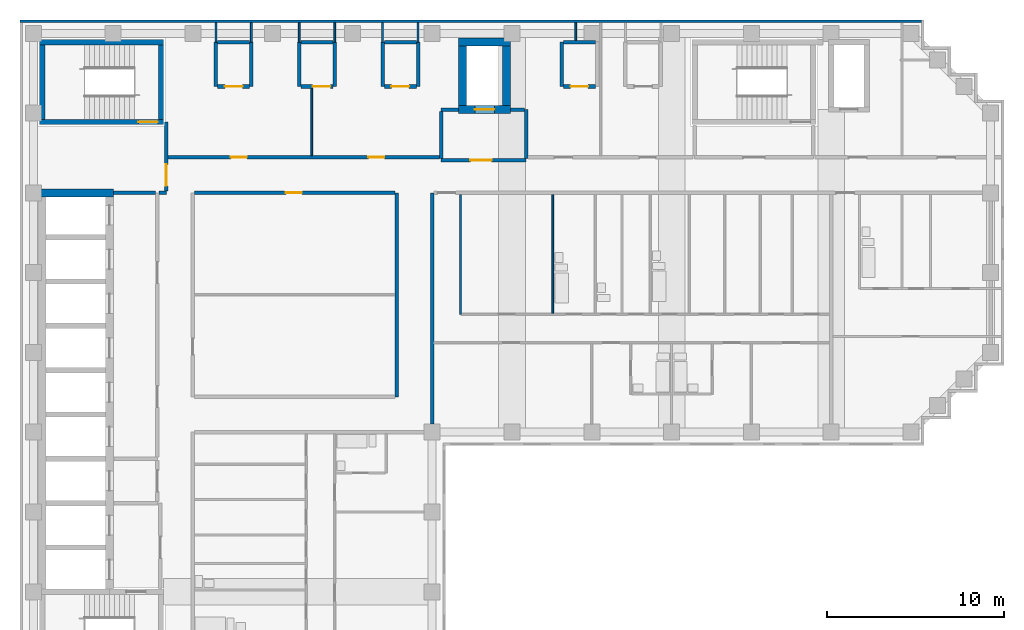
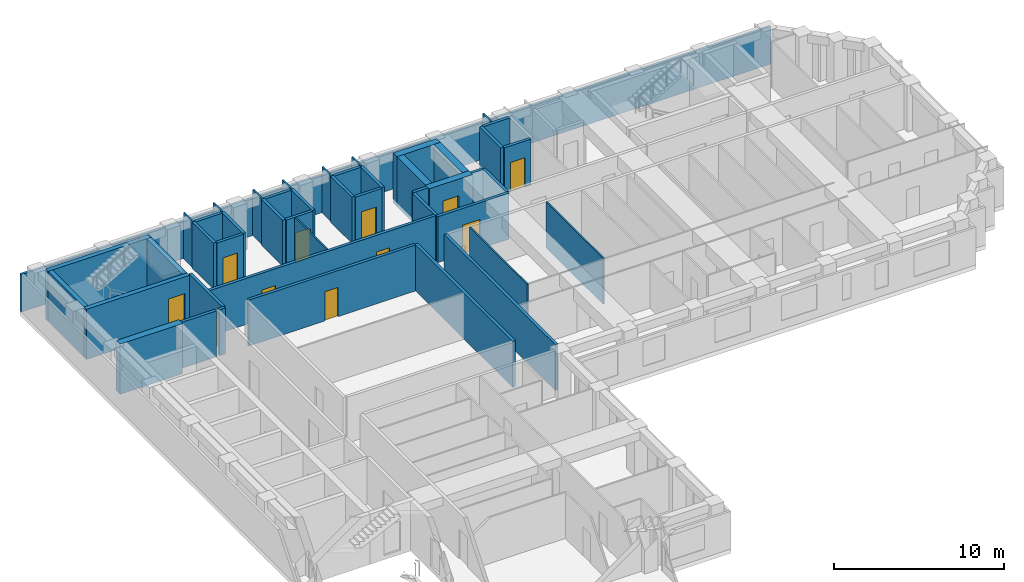
# One storey, part 5 of 10: 47 walls, 11 doors, 11 openings.
"""IFC4 building model written with IfcOpenShell, lengths in metres."""

from ifc_helpers import new_model, si_unit, direction, frame, frame_2d, origin, place, context, subcontext, project, spatial, rectangle, extrude, material, layer, layer_set, type_object, element, fill, save


model = new_model("IFC4")

# Units and contexts
model_context = context("Model", 3, precision=1e-05, world=origin(), true_north=direction((0.0, 1.0)))
body_context = subcontext(model_context, "Body", "Model", "MODEL_VIEW")
ifc_project = project(units=[si_unit("LENGTHUNIT", "METRE"), si_unit("AREAUNIT", "SQUARE_METRE"), si_unit("VOLUMEUNIT", "CUBIC_METRE"), si_unit("PLANEANGLEUNIT", "RADIAN"), si_unit("MASSUNIT", "GRAM", prefix="KILO")], contexts=[model_context])

# Site, building, storey
site_placement = place(None, origin())
site = spatial("IfcSite", under=ifc_project, at=site_placement, CompositionType="ELEMENT")
building_placement = place(site_placement, origin())
building = spatial("IfcBuilding", under=site, at=building_placement, Name="Firuza Court", CompositionType="ELEMENT")
storey_placement = place(building_placement, frame((0.0, 0.0, 197.0)))
storey = spatial("IfcBuildingStorey", under=building, at=storey_placement, Name="L50", CompositionType="ELEMENT", Elevation=197.0)

# Wall
ifc_material_1 = material(Name="Moisture-resistant gypsum board partition")
ifc_layer_1 = layer(ifc_material_1, 0.10009765625)
ifc_layer_set_1 = layer_set([ifc_layer_1], Name="Moisture-resistant gypsum board partition")
wall_type_1 = type_object("IfcWallType", Name="Bathroom partition 100", PredefinedType="PLUMBINGWALL", material=ifc_layer_set_1)
wall_1_placement = place(storey_placement, frame((29.300048828125, 42.699951171875, 0.0), z_axis=(0.0, 0.0, 1.0), x_axis=(0.0, 1.0, 0.0)))
element("IfcWall", 1, at=wall_1_placement, inside=storey, type_object=wall_type_1, Name="Bathroom partition 100 L50", PredefinedType="PLUMBINGWALL", context=body_context, shape_type="SweptSolid", body=[
    extrude(rectangle(XDim=6.699951171875, YDim=0.10009765625, at=frame_2d((3.35009765625, 0.0))), origin(), (0.0, 0.0, 1.0), 3.300048828125),
])

# Wall, opening, door
ifc_material_2 = material(Name="Concrete C50/60", Category="concrete")
ifc_layer_2 = layer(ifc_material_2, 0.300048828125)
ifc_layer_set_2 = layer_set([ifc_layer_2], Name="Concrete C50/60")
wall_type_2 = type_object("IfcWallType", Name="Core wall 300 C50/60", PredefinedType="SHEAR", material=ifc_layer_set_2)
wall_2_placement = place(storey_placement, frame((0.35009765625, 53.5, -0.300048828125), z_axis=(0.0, 0.0, 1.0), x_axis=(1.0, 0.0, 0.0)))
wall_2 = element("IfcWall", 2, at=wall_2_placement, inside=storey, type_object=wall_type_2, Name="Core wall stair L50", PredefinedType="SHEAR", context=body_context, shape_type="SweptSolid", body=[
    extrude(rectangle(XDim=7.0, YDim=0.300048828125, at=frame_2d((3.5, 0.0))), origin(), (0.0, 0.0, 1.0), 3.60009765625),
])
opening_1_placement = place(wall_2_placement, frame((5.580078125, 0.0, 0.300048828125)))
opening_1 = element("IfcOpeningElement", 3, at=opening_1_placement, cuts=wall_2, Name="Opening D50014", PredefinedType="OPENING", context=body_context, shape_type="SweptSolid", body=[
    extrude(rectangle(XDim=1.10009765625, YDim=2.10009765625, at=frame_2d((0.550048828125, 1.050048828125))), frame((0.0, 0.162109375, 0.0), z_axis=(0.0, -1.0, 0.0), x_axis=(1.0, 0.0, 0.0)), (0.0, 0.0, 1.0), 0.323974609375),
])
ifc_material_3 = material(Name="Timber door leaf in hardwood frame", Category="wood")
door_type_1 = type_object("IfcDoorType", Name="Stair door 1100", OperationType="SINGLE_SWING_LEFT", PredefinedType="DOOR", material=ifc_material_3)
door_1_placement = place(opening_1_placement, origin())
door_1 = element("IfcDoor", 4, at=door_1_placement, inside=storey, type_object=door_type_1, Name="Stair door S3", OperationType="SINGLE_SWING_RIGHT", OverallHeight=2.10009765625, OverallWidth=1.10009765625, PredefinedType="DOOR", context=body_context, shape_type="SweptSolid", body=[
    extrude(rectangle(XDim=1.10009765625, YDim=2.10009765625, at=frame_2d((0.550048828125, 1.050048828125))), frame((0.0, 0.02490234375, 0.0), z_axis=(0.0, -1.0, 0.0), x_axis=(1.0, 0.0, 0.0)), (0.0, 0.0, 1.0), 0.050048828125),
])
fill(opening_1, door_1)

# Walls
wall_3_placement = place(storey_placement, frame((0.35009765625, 58.0, -0.300048828125), z_axis=(0.0, 0.0, 1.0), x_axis=(1.0, 0.0, 0.0)))
element("IfcWall", 5, at=wall_3_placement, inside=storey, type_object=wall_type_2, Name="Core wall stair L50", PredefinedType="SHEAR", context=body_context, shape_type="SweptSolid", body=[
    extrude(rectangle(XDim=7.0, YDim=0.300048828125, at=frame_2d((3.5, 0.0))), origin(), (0.0, 0.0, 1.0), 3.60009765625),
])
for number, where, z_axis, x_axis, name in (
    (6, (0.5, 53.64990234375, -0.300048828125), (0.0, 0.0, 1.0), (0.0, 1.0, 0.0), "Core wall stair L50"),
    (7, (7.199951171875, 53.64990234375, -0.300048828125), (0.0, 0.0, 1.0), (0.0, 1.0, 0.0), "Core wall stair L50"),
):
    element("IfcWall", number, at=place(storey_placement, frame(where, z_axis=z_axis, x_axis=x_axis)), inside=storey, type_object=wall_type_2, Name=name, PredefinedType="SHEAR", context=body_context, shape_type="SweptSolid", body=[
        extrude(rectangle(XDim=4.2001953125, YDim=0.300048828125, at=frame_2d((2.10009765625, 0.0))), origin(), (0.0, 0.0, 1.0), 3.60009765625),
    ])
ifc_layer_3 = layer(ifc_material_2, 0.449951171875)
ifc_layer_set_3 = layer_set([ifc_layer_3], Name="Concrete C50/60")
wall_type_3 = type_object("IfcWallType", Name="Core wall 450 C50/60", PredefinedType="SHEAR", material=ifc_layer_set_3)
wall_4_placement = place(storey_placement, frame((0.27490234375, 49.5, -0.300048828125), z_axis=(0.0, 0.0, 1.0), x_axis=(1.0, 0.0, 0.0)))
element("IfcWall", 8, at=wall_4_placement, inside=storey, type_object=wall_type_3, Name="Core wall lift shaft L50", PredefinedType="SHEAR", context=body_context, shape_type="SweptSolid", body=[
    extrude(rectangle(XDim=4.25, YDim=0.449951171875, at=frame_2d((2.125, 0.0))), origin(), (0.0, 0.0, 1.0), 3.60009765625),
])

# Wall, opening, door
wall_5_placement = place(storey_placement, frame((23.97509765625, 54.199951171875, -0.300048828125), z_axis=(0.0, 0.0, 1.0), x_axis=(1.0, 0.0, 0.0)))
wall_5 = element("IfcWall", 9, at=wall_5_placement, inside=storey, type_object=wall_type_3, Name="Core wall lift shaft L50", PredefinedType="SHEAR", context=body_context, shape_type="SweptSolid", body=[
    extrude(rectangle(XDim=2.949951171875, YDim=0.449951171875, at=frame_2d((1.47509765625, 0.0))), origin(), (0.0, 0.0, 1.0), 3.60009765625),
])
opening_2_placement = place(wall_5_placement, frame((0.925048828125, 0.0, 0.300048828125)))
opening_2 = element("IfcOpeningElement", 10, at=opening_2_placement, cuts=wall_5, Name="Opening LD-FL3-50", PredefinedType="OPENING", context=body_context, shape_type="SweptSolid", body=[
    extrude(rectangle(XDim=1.10009765625, YDim=2.10009765625, at=frame_2d((0.550048828125, 1.050048828125))), frame((0.0, 0.23681640625, 0.0), z_axis=(0.0, -1.0, 0.0), x_axis=(1.0, 0.0, 0.0)), (0.0, 0.0, 1.0), 0.473876953125),
])
ifc_material_4 = material(Name="Stainless steel 1.4301 door leaf", Category="steel")
door_type_2 = type_object("IfcDoorType", Name="Lift landing door 1100", OperationType="SLIDING_TO_LEFT", PredefinedType="DOOR", material=ifc_material_4)
door_2_placement = place(opening_2_placement, origin())
door_2 = element("IfcDoor", 11, at=door_2_placement, inside=storey, type_object=door_type_2, Name="Landing door FL3", OperationType="SLIDING_TO_LEFT", OverallHeight=2.10009765625, OverallWidth=1.10009765625, PredefinedType="DOOR", context=body_context, shape_type="SweptSolid", body=[
    extrude(rectangle(XDim=1.10009765625, YDim=2.10009765625, at=frame_2d((0.550048828125, 1.050048828125))), frame((0.0, 0.02490234375, 0.0), z_axis=(0.0, -1.0, 0.0), x_axis=(1.0, 0.0, 0.0)), (0.0, 0.0, 1.0), 0.050048828125),
])
fill(opening_2, door_2)

# Walls
wall_6_placement = place(storey_placement, frame((23.97509765625, 58.0, -0.300048828125), z_axis=(0.0, 0.0, 1.0), x_axis=(1.0, 0.0, 0.0)))
element("IfcWall", 12, at=wall_6_placement, inside=storey, type_object=wall_type_3, Name="Core wall lift shaft L50", PredefinedType="SHEAR", context=body_context, shape_type="SweptSolid", body=[
    extrude(rectangle(XDim=2.949951171875, YDim=0.449951171875, at=frame_2d((1.47509765625, 0.0))), origin(), (0.0, 0.0, 1.0), 3.60009765625),
])
for number, where, z_axis, x_axis, name in (
    (13, (24.199951171875, 54.425048828125, -0.300048828125), (0.0, 0.0, 1.0), (0.0, 1.0, 0.0), "Core wall lift shaft L50"),
    (14, (26.699951171875, 54.425048828125, -0.300048828125), (0.0, 0.0, 1.0), (0.0, 1.0, 0.0), "Core wall lift shaft L50"),
):
    element("IfcWall", number, at=place(storey_placement, frame(where, z_axis=z_axis, x_axis=x_axis)), inside=storey, type_object=wall_type_3, Name=name, PredefinedType="SHEAR", context=body_context, shape_type="SweptSolid", body=[
        extrude(rectangle(XDim=3.349853515625, YDim=0.449951171875, at=frame_2d((1.6748046875, 0.0))), origin(), (0.0, 0.0, 1.0), 3.60009765625),
    ])
ifc_material_5 = material(Name="Blockwork, plastered both sides", Category="masonry")
ifc_layer_4 = layer(ifc_material_5, 0.199951171875)
ifc_layer_set_4 = layer_set([ifc_layer_4], Name="Blockwork, plastered both sides")
wall_type_4 = type_object("IfcWallType", Name="Corridor wall 200", PredefinedType="PARTITIONING", material=ifc_layer_set_4)
wall_7_placement = place(storey_placement, frame((20.5, 38.0, 0.0), z_axis=(0.0, 0.0, 1.0), x_axis=(0.0, 1.0, 0.0)))
element("IfcWall", 15, at=wall_7_placement, inside=storey, type_object=wall_type_4, Name="Corridor wall 200 L50", PredefinedType="PARTITIONING", context=body_context, shape_type="SweptSolid", body=[
    extrude(rectangle(XDim=11.5, YDim=0.199951171875, at=frame_2d((5.75, 0.0))), origin(), (0.0, 0.0, 1.0), 3.300048828125),
])

# Wall, opening, door
wall_8_placement = place(storey_placement, frame((9.10009765625, 49.5, 0.0), z_axis=(0.0, 0.0, 1.0), x_axis=(1.0, 0.0, 0.0)))
wall_8 = element("IfcWall", 16, at=wall_8_placement, inside=storey, type_object=wall_type_4, Name="Corridor wall 200 L50", PredefinedType="PARTITIONING", context=body_context, shape_type="SweptSolid", body=[
    extrude(rectangle(XDim=11.2998046875, YDim=0.199951171875, at=frame_2d((5.64990234375, 0.0))), origin(), (0.0, 0.0, 1.0), 3.300048828125),
])
opening_3_placement = place(wall_8_placement, frame((5.14990234375, 0.0, 0.0)))
opening_3 = element("IfcOpeningElement", 17, at=opening_3_placement, cuts=wall_8, Name="Opening D50056", PredefinedType="OPENING", context=body_context, shape_type="SweptSolid", body=[
    extrude(rectangle(XDim=0.89990234375, YDim=2.10009765625, at=frame_2d((0.449951171875, 1.050048828125))), frame((0.0, 0.11181640625, 0.0), z_axis=(0.0, -1.0, 0.0), x_axis=(1.0, 0.0, 0.0)), (0.0, 0.0, 1.0), 0.223876953125),
])
ifc_material_6 = material(Name="Timber door leaf in hardwood frame", Category="wood")
door_type_3 = type_object("IfcDoorType", Name="Room door 900 EI 30", OperationType="SINGLE_SWING_LEFT", PredefinedType="DOOR", material=ifc_material_6)
door_3_placement = place(opening_3_placement, origin())
door_3 = element("IfcDoor", 18, at=door_3_placement, inside=storey, type_object=door_type_3, Name="Residents' club lounge door", OperationType="SINGLE_SWING_LEFT", OverallHeight=2.10009765625, OverallWidth=0.89990234375, PredefinedType="DOOR", context=body_context, shape_type="SweptSolid", body=[
    extrude(rectangle(XDim=0.89990234375, YDim=2.10009765625, at=frame_2d((0.449951171875, 1.050048828125))), frame((0.0, 0.02490234375, 0.0), z_axis=(0.0, -1.0, 0.0), x_axis=(1.0, 0.0, 0.0)), (0.0, 0.0, 1.0), 0.050048828125),
])
fill(opening_3, door_3)

# Wall, openings, doors
wall_9_placement = place(storey_placement, frame((7.60009765625, 51.5, 0.0), z_axis=(0.0, 0.0, 1.0), x_axis=(1.0, 0.0, 0.0)))
wall_9 = element("IfcWall", 19, at=wall_9_placement, inside=storey, type_object=wall_type_4, Name="Corridor wall 200 L50", PredefinedType="PARTITIONING", context=body_context, shape_type="SweptSolid", body=[
    extrude(rectangle(XDim=15.2998046875, YDim=0.199951171875, at=frame_2d((7.64990234375, 0.0))), origin(), (0.0, 0.0, 1.0), 3.300048828125),
])
opening_4_placement = place(wall_9_placement, frame((3.550048828125, 0.0, 0.0)))
opening_4 = element("IfcOpeningElement", 20, at=opening_4_placement, cuts=wall_9, Name="Opening D50059", PredefinedType="OPENING", context=body_context, shape_type="SweptSolid", body=[
    extrude(rectangle(XDim=0.89990234375, YDim=2.10009765625, at=frame_2d((0.449951171875, 1.050048828125))), frame((0.0, 0.11181640625, 0.0), z_axis=(0.0, -1.0, 0.0), x_axis=(1.0, 0.0, 0.0)), (0.0, 0.0, 1.0), 0.223876953125),
])
opening_5_placement = place(wall_9_placement, frame((11.300048828125, 0.0, 0.0)))
opening_5 = element("IfcOpeningElement", 21, at=opening_5_placement, cuts=wall_9, Name="Opening D50060", PredefinedType="OPENING", context=body_context, shape_type="SweptSolid", body=[
    extrude(rectangle(XDim=0.89990234375, YDim=2.10009765625, at=frame_2d((0.449951171875, 1.050048828125))), frame((0.0, 0.11181640625, 0.0), z_axis=(0.0, -1.0, 0.0), x_axis=(1.0, 0.0, 0.0)), (0.0, 0.0, 1.0), 0.223876953125),
])
door_4_placement = place(opening_4_placement, origin())
door_4 = element("IfcDoor", 22, at=door_4_placement, inside=storey, type_object=door_type_3, Name="Meeting room door", OperationType="SINGLE_SWING_LEFT", OverallHeight=2.10009765625, OverallWidth=0.89990234375, PredefinedType="DOOR", context=body_context, shape_type="SweptSolid", body=[
    extrude(rectangle(XDim=0.89990234375, YDim=2.10009765625, at=frame_2d((0.449951171875, 1.050048828125))), frame((0.0, 0.02490234375, 0.0), z_axis=(0.0, -1.0, 0.0), x_axis=(1.0, 0.0, 0.0)), (0.0, 0.0, 1.0), 0.050048828125),
])
fill(opening_4, door_4)
door_5_placement = place(opening_5_placement, origin())
door_5 = element("IfcDoor", 23, at=door_5_placement, inside=storey, type_object=door_type_3, Name="Meeting room door", OperationType="SINGLE_SWING_LEFT", OverallHeight=2.10009765625, OverallWidth=0.89990234375, PredefinedType="DOOR", context=body_context, shape_type="SweptSolid", body=[
    extrude(rectangle(XDim=0.89990234375, YDim=2.10009765625, at=frame_2d((0.449951171875, 1.050048828125))), frame((0.0, 0.02490234375, 0.0), z_axis=(0.0, -1.0, 0.0), x_axis=(1.0, 0.0, 0.0)), (0.0, 0.0, 1.0), 0.050048828125),
])
fill(opening_5, door_5)

# Walls
ifc_material_7 = material(Name="Timber stud partition, plasterboard both sides", Category="wood")
ifc_layer_5 = layer(ifc_material_7, 0.10009765625)
ifc_layer_set_5 = layer_set([ifc_layer_5], Name="Timber stud partition, plasterboard both sides")
wall_type_5 = type_object("IfcWallType", Name="Partition wall 100", PredefinedType="PARTITIONING", material=ifc_layer_set_5)
wall_10_placement = place(storey_placement, frame((24.10009765625, 42.64990234375, 0.0), z_axis=(0.0, 0.0, 1.0), x_axis=(0.0, 1.0, 0.0)))
element("IfcWall", 24, at=wall_10_placement, inside=storey, type_object=wall_type_5, Name="Partition wall 100 L50", PredefinedType="PARTITIONING", context=body_context, shape_type="SweptSolid", body=[
    extrude(rectangle(XDim=6.75, YDim=0.10009765625, at=frame_2d((3.375, 0.0))), origin(), (0.0, 0.0, 1.0), 3.300048828125),
])
wall_11_placement = place(storey_placement, frame((15.699951171875, 51.60009765625, 0.0), z_axis=(0.0, 0.0, 1.0), x_axis=(0.0, 1.0, 0.0)))
element("IfcWall", 25, at=wall_11_placement, inside=storey, type_object=wall_type_5, Name="Partition wall 100 L50", PredefinedType="PARTITIONING", context=body_context, shape_type="SweptSolid", body=[
    extrude(rectangle(XDim=3.7998046875, YDim=0.10009765625, at=frame_2d((1.89990234375, 0.0))), origin(), (0.0, 0.0, 1.0), 3.300048828125),
])
for number, where, z_axis, x_axis, name in (
    (26, (10.300048828125, 58.0, 0.0), (0.0, 0.0, 1.0), (0.0, 1.0, 0.0), "Partition wall 100 L50"),
    (27, (12.300048828125, 58.0, 0.0), (0.0, 0.0, 1.0), (0.0, 1.0, 0.0), "Partition wall 100 L50"),
    (28, (15.0, 58.0, 0.0), (0.0, 0.0, 1.0), (0.0, 1.0, 0.0), "Partition wall 100 L50"),
    (29, (17.0, 58.0, 0.0), (0.0, 0.0, 1.0), (0.0, 1.0, 0.0), "Partition wall 100 L50"),
    (30, (19.699951171875, 58.0, 0.0), (0.0, 0.0, 1.0), (0.0, 1.0, 0.0), "Partition wall 100 L50"),
    (31, (21.699951171875, 58.0, 0.0), (0.0, 0.0, 1.0), (0.0, 1.0, 0.0), "Partition wall 100 L50"),
):
    element("IfcWall", number, at=place(storey_placement, frame(where, z_axis=z_axis, x_axis=x_axis)), inside=storey, type_object=wall_type_5, Name=name, PredefinedType="PARTITIONING", context=body_context, shape_type="SweptSolid", body=[
        extrude(rectangle(XDim=1.10009765625, YDim=0.10009765625, at=frame_2d((0.550048828125, 0.0))), origin(), (0.0, 0.0, 1.0), 3.300048828125),
    ])
wall_12_placement = place(storey_placement, frame((30.60009765625, 58.10009765625, 0.0), z_axis=(0.0, 0.0, 1.0), x_axis=(0.0, 1.0, 0.0)))
element("IfcWall", 32, at=wall_12_placement, inside=storey, type_object=wall_type_5, Name="Partition wall 100 L50", PredefinedType="PARTITIONING", context=body_context, shape_type="SweptSolid", body=[
    extrude(rectangle(XDim=1.0, YDim=0.10009765625, at=frame_2d((0.5, 0.0))), origin(), (0.0, 0.0, 1.0), 3.300048828125),
])
ifc_layer_6 = layer(ifc_material_5, 0.199951171875)
ifc_layer_set_6 = layer_set([ifc_layer_6], Name="Blockwork, plastered both sides")
wall_type_6 = type_object("IfcWallType", Name="Party wall 200", PredefinedType="PARTITIONING", material=ifc_layer_set_6)
wall_13_placement = place(storey_placement, frame((22.5, 36.449951171875, 0.0), z_axis=(0.0, 0.0, 1.0), x_axis=(0.0, 1.0, 0.0)))
element("IfcWall", 33, at=wall_13_placement, inside=storey, type_object=wall_type_6, Name="Party wall 200 L50", PredefinedType="PARTITIONING", context=body_context, shape_type="SweptSolid", body=[
    extrude(rectangle(XDim=13.050048828125, YDim=0.199951171875, at=frame_2d((6.52490234375, 0.0))), origin(), (0.0, 0.0, 1.0), 3.300048828125),
])
ifc_material_8 = material(Name="Blockwork, fire-rated", Category="masonry")
ifc_layer_7 = layer(ifc_material_8, 0.199951171875)
ifc_layer_set_7 = layer_set([ifc_layer_7], Name="Blockwork, fire-rated")
wall_type_7 = type_object("IfcWallType", Name="Plant room wall 200", PredefinedType="PARTITIONING", material=ifc_layer_set_7)
wall_14_placement = place(storey_placement, frame((10.300048828125, 55.5, 0.0), z_axis=(0.0, 0.0, 1.0), x_axis=(0.0, 1.0, 0.0)))
element("IfcWall", 34, at=wall_14_placement, inside=storey, type_object=wall_type_7, Name="Plant room wall 200 L50", PredefinedType="PARTITIONING", context=body_context, shape_type="SweptSolid", body=[
    extrude(rectangle(XDim=2.5, YDim=0.199951171875, at=frame_2d((1.25, 0.0))), origin(), (0.0, 0.0, 1.0), 3.300048828125),
])

# Wall, opening, door
wall_15_placement = place(storey_placement, frame((10.39990234375, 55.5, 0.0), z_axis=(0.0, 0.0, 1.0), x_axis=(1.0, 0.0, 0.0)))
wall_15 = element("IfcWall", 35, at=wall_15_placement, inside=storey, type_object=wall_type_7, Name="Plant room wall 200 L50", PredefinedType="PARTITIONING", context=body_context, shape_type="SweptSolid", body=[
    extrude(rectangle(XDim=1.800048828125, YDim=0.199951171875, at=frame_2d((0.89990234375, 0.0))), origin(), (0.0, 0.0, 1.0), 3.300048828125),
])
opening_6_placement = place(wall_15_placement, frame((0.39990234375, 0.0, 0.0)))
opening_6 = element("IfcOpeningElement", 36, at=opening_6_placement, cuts=wall_15, Name="Opening D50065", PredefinedType="OPENING", context=body_context, shape_type="SweptSolid", body=[
    extrude(rectangle(XDim=1.0, YDim=2.10009765625, at=frame_2d((0.5, 1.050048828125))), frame((0.0, 0.11181640625, 0.0), z_axis=(0.0, -1.0, 0.0), x_axis=(1.0, 0.0, 0.0)), (0.0, 0.0, 1.0), 0.223876953125),
])
ifc_material_9 = material(Name="Timber door leaf in hardwood frame", Category="wood")
door_type_4 = type_object("IfcDoorType", Name="Riser door 1000", OperationType="SINGLE_SWING_LEFT", PredefinedType="DOOR", material=ifc_material_9)
door_6_placement = place(opening_6_placement, origin())
door_6 = element("IfcDoor", 37, at=door_6_placement, inside=storey, type_object=door_type_4, Name="Comms riser door", OperationType="SINGLE_SWING_LEFT", OverallHeight=2.10009765625, OverallWidth=1.0, PredefinedType="DOOR", context=body_context, shape_type="SweptSolid", body=[
    extrude(rectangle(XDim=1.0, YDim=2.10009765625, at=frame_2d((0.5, 1.050048828125))), frame((0.0, 0.02490234375, 0.0), z_axis=(0.0, -1.0, 0.0), x_axis=(1.0, 0.0, 0.0)), (0.0, 0.0, 1.0), 0.050048828125),
])
fill(opening_6, door_6)

# Walls
for number, where, z_axis, x_axis, name in (
    (38, (12.300048828125, 55.5, 0.0), (0.0, 0.0, 1.0), (0.0, 1.0, 0.0), "Plant room wall 200 L50"),
    (39, (15.0, 55.5, 0.0), (0.0, 0.0, 1.0), (0.0, 1.0, 0.0), "Plant room wall 200 L50"),
):
    element("IfcWall", number, at=place(storey_placement, frame(where, z_axis=z_axis, x_axis=x_axis)), inside=storey, type_object=wall_type_7, Name=name, PredefinedType="PARTITIONING", context=body_context, shape_type="SweptSolid", body=[
        extrude(rectangle(XDim=2.5, YDim=0.199951171875, at=frame_2d((1.25, 0.0))), origin(), (0.0, 0.0, 1.0), 3.300048828125),
    ])

# Wall, opening, door
wall_16_placement = place(storey_placement, frame((15.10009765625, 55.5, 0.0), z_axis=(0.0, 0.0, 1.0), x_axis=(1.0, 0.0, 0.0)))
wall_16 = element("IfcWall", 40, at=wall_16_placement, inside=storey, type_object=wall_type_7, Name="Plant room wall 200 L50", PredefinedType="PARTITIONING", context=body_context, shape_type="SweptSolid", body=[
    extrude(rectangle(XDim=1.7998046875, YDim=0.199951171875, at=frame_2d((0.89990234375, 0.0))), origin(), (0.0, 0.0, 1.0), 3.300048828125),
])
opening_7_placement = place(wall_16_placement, frame((0.64990234375, 0.0, 0.0)))
opening_7 = element("IfcOpeningElement", 41, at=opening_7_placement, cuts=wall_16, Name="Opening D50066", PredefinedType="OPENING", context=body_context, shape_type="SweptSolid", body=[
    extrude(rectangle(XDim=1.0, YDim=2.10009765625, at=frame_2d((0.5, 1.050048828125))), frame((0.0, 0.11181640625, 0.0), z_axis=(0.0, -1.0, 0.0), x_axis=(1.0, 0.0, 0.0)), (0.0, 0.0, 1.0), 0.223876953125),
])
door_7_placement = place(opening_7_placement, origin())
door_7 = element("IfcDoor", 42, at=door_7_placement, inside=storey, type_object=door_type_4, Name="Electrical riser door", OperationType="SINGLE_SWING_RIGHT", OverallHeight=2.10009765625, OverallWidth=1.0, PredefinedType="DOOR", context=body_context, shape_type="SweptSolid", body=[
    extrude(rectangle(XDim=1.0, YDim=2.10009765625, at=frame_2d((0.5, 1.050048828125))), frame((0.0, 0.02490234375, 0.0), z_axis=(0.0, -1.0, 0.0), x_axis=(1.0, 0.0, 0.0)), (0.0, 0.0, 1.0), 0.050048828125),
])
fill(opening_7, door_7)

# Walls
for number, where, z_axis, x_axis, name in (
    (43, (17.0, 55.5, 0.0), (0.0, 0.0, 1.0), (0.0, 1.0, 0.0), "Plant room wall 200 L50"),
    (44, (19.699951171875, 55.5, 0.0), (0.0, 0.0, 1.0), (0.0, 1.0, 0.0), "Plant room wall 200 L50"),
):
    element("IfcWall", number, at=place(storey_placement, frame(where, z_axis=z_axis, x_axis=x_axis)), inside=storey, type_object=wall_type_7, Name=name, PredefinedType="PARTITIONING", context=body_context, shape_type="SweptSolid", body=[
        extrude(rectangle(XDim=2.5, YDim=0.199951171875, at=frame_2d((1.25, 0.0))), origin(), (0.0, 0.0, 1.0), 3.300048828125),
    ])

# Wall, opening, door
wall_17_placement = place(storey_placement, frame((19.800048828125, 55.5, 0.0), z_axis=(0.0, 0.0, 1.0), x_axis=(1.0, 0.0, 0.0)))
wall_17 = element("IfcWall", 45, at=wall_17_placement, inside=storey, type_object=wall_type_7, Name="Plant room wall 200 L50", PredefinedType="PARTITIONING", context=body_context, shape_type="SweptSolid", body=[
    extrude(rectangle(XDim=1.800048828125, YDim=0.199951171875, at=frame_2d((0.89990234375, 0.0))), origin(), (0.0, 0.0, 1.0), 3.300048828125),
])
opening_8_placement = place(wall_17_placement, frame((0.39990234375, 0.0, 0.0)))
opening_8 = element("IfcOpeningElement", 46, at=opening_8_placement, cuts=wall_17, Name="Opening D50067", PredefinedType="OPENING", context=body_context, shape_type="SweptSolid", body=[
    extrude(rectangle(XDim=1.0, YDim=2.10009765625, at=frame_2d((0.5, 1.050048828125))), frame((0.0, 0.11181640625, 0.0), z_axis=(0.0, -1.0, 0.0), x_axis=(1.0, 0.0, 0.0)), (0.0, 0.0, 1.0), 0.223876953125),
])
door_8_placement = place(opening_8_placement, origin())
door_8 = element("IfcDoor", 47, at=door_8_placement, inside=storey, type_object=door_type_4, Name="Duct riser door", OperationType="SINGLE_SWING_LEFT", OverallHeight=2.10009765625, OverallWidth=1.0, PredefinedType="DOOR", context=body_context, shape_type="SweptSolid", body=[
    extrude(rectangle(XDim=1.0, YDim=2.10009765625, at=frame_2d((0.5, 1.050048828125))), frame((0.0, 0.02490234375, 0.0), z_axis=(0.0, -1.0, 0.0), x_axis=(1.0, 0.0, 0.0)), (0.0, 0.0, 1.0), 0.050048828125),
])
fill(opening_8, door_8)

# Walls
for number, where, z_axis, x_axis, name in (
    (48, (21.699951171875, 55.5, 0.0), (0.0, 0.0, 1.0), (0.0, 1.0, 0.0), "Plant room wall 200 L50"),
    (49, (29.800048828125, 55.5, 0.0), (0.0, 0.0, 1.0), (0.0, 1.0, 0.0), "Plant room wall 200 L50"),
):
    element("IfcWall", number, at=place(storey_placement, frame(where, z_axis=z_axis, x_axis=x_axis)), inside=storey, type_object=wall_type_7, Name=name, PredefinedType="PARTITIONING", context=body_context, shape_type="SweptSolid", body=[
        extrude(rectangle(XDim=2.5, YDim=0.199951171875, at=frame_2d((1.25, 0.0))), origin(), (0.0, 0.0, 1.0), 3.300048828125),
    ])

# Wall, opening, door
wall_18_placement = place(storey_placement, frame((29.89990234375, 55.5, 0.0), z_axis=(0.0, 0.0, 1.0), x_axis=(1.0, 0.0, 0.0)))
wall_18 = element("IfcWall", 50, at=wall_18_placement, inside=storey, type_object=wall_type_7, Name="Plant room wall 200 L50", PredefinedType="PARTITIONING", context=body_context, shape_type="SweptSolid", body=[
    extrude(rectangle(XDim=1.800048828125, YDim=0.199951171875, at=frame_2d((0.89990234375, 0.0))), origin(), (0.0, 0.0, 1.0), 3.300048828125),
])
opening_9_placement = place(wall_18_placement, frame((0.39990234375, 0.0, 0.0)))
opening_9 = element("IfcOpeningElement", 51, at=opening_9_placement, cuts=wall_18, Name="Opening D50068", PredefinedType="OPENING", context=body_context, shape_type="SweptSolid", body=[
    extrude(rectangle(XDim=1.0, YDim=2.10009765625, at=frame_2d((0.5, 1.050048828125))), frame((0.0, 0.11181640625, 0.0), z_axis=(0.0, -1.0, 0.0), x_axis=(1.0, 0.0, 0.0)), (0.0, 0.0, 1.0), 0.223876953125),
])
door_9_placement = place(opening_9_placement, origin())
door_9 = element("IfcDoor", 52, at=door_9_placement, inside=storey, type_object=door_type_4, Name="Electrical riser door", OperationType="SINGLE_SWING_LEFT", OverallHeight=2.10009765625, OverallWidth=1.0, PredefinedType="DOOR", context=body_context, shape_type="SweptSolid", body=[
    extrude(rectangle(XDim=1.0, YDim=2.10009765625, at=frame_2d((0.5, 1.050048828125))), frame((0.0, 0.02490234375, 0.0), z_axis=(0.0, -1.0, 0.0), x_axis=(1.0, 0.0, 0.0)), (0.0, 0.0, 1.0), 0.050048828125),
])
fill(opening_9, door_9)

# Walls
wall_19_placement = place(storey_placement, frame((10.39990234375, 58.0, 0.0), z_axis=(0.0, 0.0, 1.0), x_axis=(1.0, 0.0, 0.0)))
element("IfcWall", 53, at=wall_19_placement, inside=storey, type_object=wall_type_7, Name="Plant room wall 200 L50", PredefinedType="PARTITIONING", context=body_context, shape_type="SweptSolid", body=[
    extrude(rectangle(XDim=1.800048828125, YDim=0.199951171875, at=frame_2d((0.89990234375, 0.0))), origin(), (0.0, 0.0, 1.0), 3.300048828125),
])
wall_20_placement = place(storey_placement, frame((15.10009765625, 58.0, 0.0), z_axis=(0.0, 0.0, 1.0), x_axis=(1.0, 0.0, 0.0)))
element("IfcWall", 54, at=wall_20_placement, inside=storey, type_object=wall_type_7, Name="Plant room wall 200 L50", PredefinedType="PARTITIONING", context=body_context, shape_type="SweptSolid", body=[
    extrude(rectangle(XDim=1.7998046875, YDim=0.199951171875, at=frame_2d((0.89990234375, 0.0))), origin(), (0.0, 0.0, 1.0), 3.300048828125),
])
for number, where, z_axis, x_axis, name in (
    (55, (19.800048828125, 58.0, 0.0), (0.0, 0.0, 1.0), (1.0, 0.0, 0.0), "Plant room wall 200 L50"),
    (56, (29.89990234375, 58.0, 0.0), (0.0, 0.0, 1.0), (1.0, 0.0, 0.0), "Plant room wall 200 L50"),
):
    element("IfcWall", number, at=place(storey_placement, frame(where, z_axis=z_axis, x_axis=x_axis)), inside=storey, type_object=wall_type_7, Name=name, PredefinedType="PARTITIONING", context=body_context, shape_type="SweptSolid", body=[
        extrude(rectangle(XDim=1.800048828125, YDim=0.199951171875, at=frame_2d((0.89990234375, 0.0))), origin(), (0.0, 0.0, 1.0), 3.300048828125),
    ])
ifc_material_10 = material(Name="Ceramic tile", Category="ceramic")
ifc_layer_8 = layer(ifc_material_10, 0.02001953125)
ifc_material_11 = material(Name="Mineral wool insulation", Category="insulation")
ifc_layer_9 = layer(ifc_material_11, 0.050048828125)
ifc_material_12 = material(Name="Concrete C40/50 precast", Category="concrete")
ifc_layer_10 = layer(ifc_material_12, 0.080078125)
ifc_layer_set_8 = layer_set([ifc_layer_8, ifc_layer_9, ifc_layer_10], Name="Concrete C40/50 precast")
wall_type_8 = type_object("IfcWallType", Name="Precast cladding wall with turquoise TILE PANEL face 150", PredefinedType="STANDARD", material=ifc_layer_set_8)
wall_21_placement = place(storey_placement, frame((50.10009765625, 59.175048828125, 0.0), z_axis=(0.0, 0.0, 1.0), x_axis=(-1.0, 0.0, 0.0)))
element("IfcWall", 57, at=wall_21_placement, inside=storey, type_object=wall_type_8, Name="Facade wall L50 N", PredefinedType="STANDARD", context=body_context, shape_type="SweptSolid", body=[
    extrude(rectangle(XDim=50.85009765625, YDim=0.14990234375, at=frame_2d((25.425048828125, 0.0))), origin(), (0.0, 0.0, 1.0), 2.699951171875),
])
ifc_layer_11 = layer(ifc_material_8, 0.199951171875)
ifc_layer_set_9 = layer_set([ifc_layer_11], Name="Blockwork, fire-rated")
wall_type_9 = type_object("IfcWallType", Name="Shaft wall 200", PredefinedType="PARTITIONING", material=ifc_layer_set_9)
wall_22_placement = place(storey_placement, frame((4.52490234375, 49.5, 0.0), z_axis=(0.0, 0.0, 1.0), x_axis=(1.0, 0.0, 0.0)))
element("IfcWall", 58, at=wall_22_placement, inside=storey, type_object=wall_type_9, Name="Shaft wall 200 L50", PredefinedType="PARTITIONING", context=body_context, shape_type="SweptSolid", body=[
    extrude(rectangle(XDim=2.375, YDim=0.199951171875, at=frame_2d((1.1875, 0.0))), origin(), (0.0, 0.0, 1.0), 3.300048828125),
])

# Wall, opening, door
wall_23_placement = place(storey_placement, frame((23.0, 51.35009765625, 0.0), z_axis=(0.0, 0.0, 1.0), x_axis=(1.0, 0.0, 0.0)))
wall_23 = element("IfcWall", 59, at=wall_23_placement, inside=storey, type_object=wall_type_9, Name="Shaft wall 200 L50", PredefinedType="PARTITIONING", context=body_context, shape_type="SweptSolid", body=[
    extrude(rectangle(XDim=4.800048828125, YDim=0.199951171875, at=frame_2d((2.39990234375, 0.0))), origin(), (0.0, 0.0, 1.0), 3.300048828125),
])
opening_10_placement = place(wall_23_placement, frame((1.64990234375, 0.0, 0.0)))
opening_10 = element("IfcOpeningElement", 60, at=opening_10_placement, cuts=wall_23, Name="Opening D50003", PredefinedType="OPENING", context=body_context, shape_type="SweptSolid", body=[
    extrude(rectangle(XDim=1.199951171875, YDim=2.10009765625, at=frame_2d((0.60009765625, 1.050048828125))), frame((0.0, 0.11181640625, 0.0), z_axis=(0.0, -1.0, 0.0), x_axis=(1.0, 0.0, 0.0)), (0.0, 0.0, 1.0), 0.223876953125),
])
ifc_material_13 = material(Name="Timber door leaf in hardwood frame", Category="wood")
door_type_5 = type_object("IfcDoorType", Name="Lobby door 1200", OperationType="SINGLE_SWING_LEFT", PredefinedType="DOOR", material=ifc_material_13)
door_10_placement = place(opening_10_placement, origin())
door_10 = element("IfcDoor", 61, at=door_10_placement, inside=storey, type_object=door_type_5, Name="Fire-fighting lobby door", OperationType="SINGLE_SWING_LEFT", OverallHeight=2.10009765625, OverallWidth=1.199951171875, PredefinedType="DOOR", context=body_context, shape_type="SweptSolid", body=[
    extrude(rectangle(XDim=1.199951171875, YDim=2.10009765625, at=frame_2d((0.60009765625, 1.050048828125))), frame((0.0, 0.02490234375, 0.0), z_axis=(0.0, -1.0, 0.0), x_axis=(1.0, 0.0, 0.0)), (0.0, 0.0, 1.0), 0.050048828125),
])
fill(opening_10, door_10)

# Walls
wall_24_placement = place(storey_placement, frame((27.800048828125, 51.449951171875, 0.0), z_axis=(0.0, 0.0, 1.0), x_axis=(0.0, 1.0, 0.0)))
element("IfcWall", 62, at=wall_24_placement, inside=storey, type_object=wall_type_9, Name="Shaft wall 200 L50", PredefinedType="PARTITIONING", context=body_context, shape_type="SweptSolid", body=[
    extrude(rectangle(XDim=2.75, YDim=0.199951171875, at=frame_2d((1.375, 0.0))), origin(), (0.0, 0.0, 1.0), 3.300048828125),
])
wall_25_placement = place(storey_placement, frame((23.0, 54.199951171875, 0.0), z_axis=(0.0, 0.0, 1.0), x_axis=(1.0, 0.0, 0.0)))
element("IfcWall", 63, at=wall_25_placement, inside=storey, type_object=wall_type_9, Name="Shaft wall 200 L50", PredefinedType="PARTITIONING", context=body_context, shape_type="SweptSolid", body=[
    extrude(rectangle(XDim=0.97509765625, YDim=0.199951171875, at=frame_2d((0.487548828125, 0.0))), origin(), (0.0, 0.0, 1.0), 3.300048828125),
])
wall_26_placement = place(storey_placement, frame((26.925048828125, 54.199951171875, 0.0), z_axis=(0.0, 0.0, 1.0), x_axis=(1.0, 0.0, 0.0)))
element("IfcWall", 64, at=wall_26_placement, inside=storey, type_object=wall_type_9, Name="Shaft wall 200 L50", PredefinedType="PARTITIONING", context=body_context, shape_type="SweptSolid", body=[
    extrude(rectangle(XDim=0.77490234375, YDim=0.199951171875, at=frame_2d((0.387451171875, 0.0))), origin(), (0.0, 0.0, 1.0), 3.300048828125),
])
wall_27_placement = place(storey_placement, frame((23.0, 51.449951171875, 0.0), z_axis=(0.0, 0.0, 1.0), x_axis=(0.0, 1.0, 0.0)))
element("IfcWall", 65, at=wall_27_placement, inside=storey, type_object=wall_type_9, Name="Shaft wall 200 L50", PredefinedType="PARTITIONING", context=body_context, shape_type="SweptSolid", body=[
    extrude(rectangle(XDim=2.650146484375, YDim=0.199951171875, at=frame_2d((1.3251953125, 0.0))), origin(), (0.0, 0.0, 1.0), 3.300048828125),
])
wall_28_placement = place(storey_placement, frame((7.10009765625, 49.5, 0.0), z_axis=(0.0, 0.0, 1.0), x_axis=(1.0, 0.0, 0.0)))
element("IfcWall", 66, at=wall_28_placement, inside=storey, type_object=wall_type_9, Name="Shaft wall 200 L50", PredefinedType="PARTITIONING", context=body_context, shape_type="SweptSolid", body=[
    extrude(rectangle(XDim=0.39990234375, YDim=0.199951171875, at=frame_2d((0.199951171875, 0.0))), origin(), (0.0, 0.0, 1.0), 3.300048828125),
])

# Wall, opening, door
wall_29_placement = place(storey_placement, frame((7.5, 49.60009765625, 0.0), z_axis=(0.0, 0.0, 1.0), x_axis=(0.0, 1.0, 0.0)))
wall_29 = element("IfcWall", 67, at=wall_29_placement, inside=storey, type_object=wall_type_9, Name="Shaft wall 200 L50", PredefinedType="PARTITIONING", context=body_context, shape_type="SweptSolid", body=[
    extrude(rectangle(XDim=3.89990234375, YDim=0.199951171875, at=frame_2d((1.949951171875, 0.0))), origin(), (0.0, 0.0, 1.0), 3.300048828125),
])
opening_11_placement = place(wall_29_placement, frame((0.300048828125, 0.0, 0.0)))
opening_11 = element("IfcOpeningElement", 68, at=opening_11_placement, cuts=wall_29, Name="Opening D50001", PredefinedType="OPENING", context=body_context, shape_type="SweptSolid", body=[
    extrude(rectangle(XDim=1.199951171875, YDim=2.10009765625, at=frame_2d((0.60009765625, 1.050048828125))), frame((0.0, 0.11181640625, 0.0), z_axis=(0.0, -1.0, 0.0), x_axis=(1.0, 0.0, 0.0)), (0.0, 0.0, 1.0), 0.223876953125),
])
door_11_placement = place(opening_11_placement, origin())
door_11 = element("IfcDoor", 69, at=door_11_placement, inside=storey, type_object=door_type_5, Name="Lobby door", OperationType="SINGLE_SWING_LEFT", OverallHeight=2.10009765625, OverallWidth=1.199951171875, PredefinedType="DOOR", context=body_context, shape_type="SweptSolid", body=[
    extrude(rectangle(XDim=1.199951171875, YDim=2.10009765625, at=frame_2d((0.60009765625, 1.050048828125))), frame((0.0, 0.02490234375, 0.0), z_axis=(0.0, -1.0, 0.0), x_axis=(1.0, 0.0, 0.0)), (0.0, 0.0, 1.0), 0.050048828125),
])
fill(opening_11, door_11)

save(model, "model.ifc")
